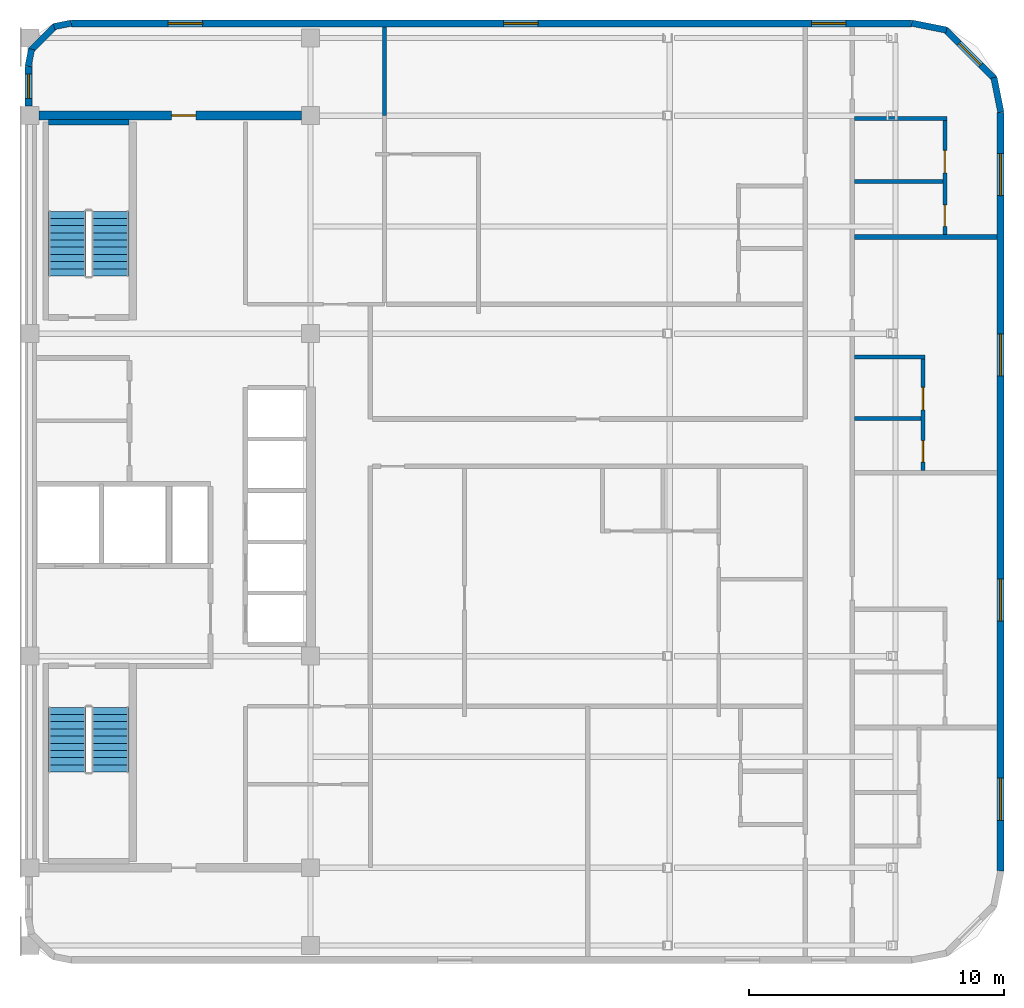
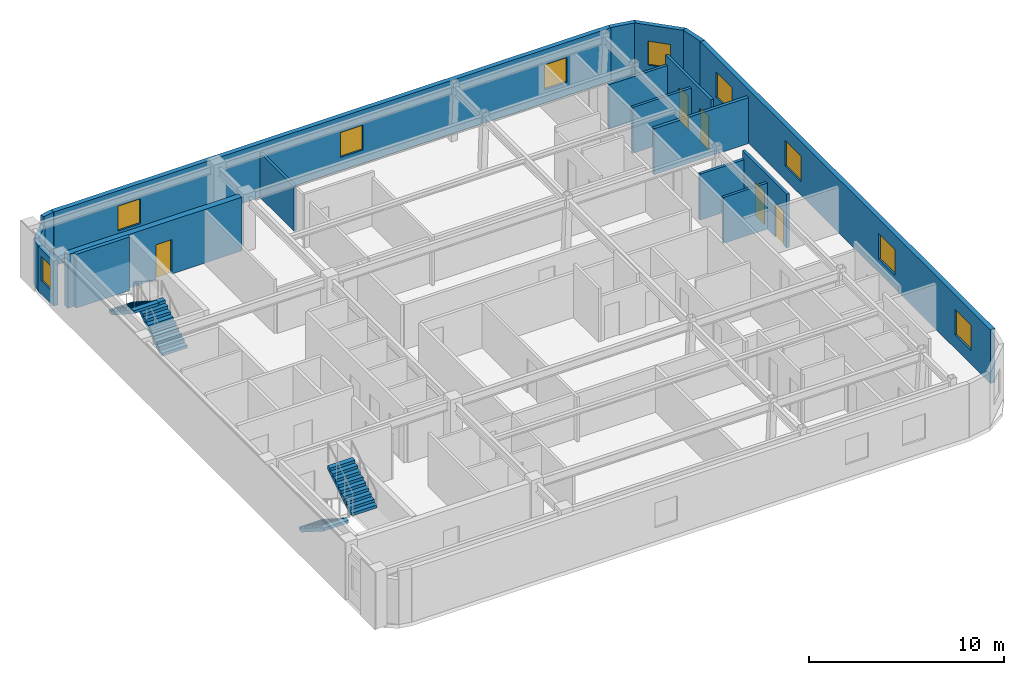
# One storey, part 5 of 6: 19 walls, 9 windows, 5 doors, 4 stair flights, 14 openings, 2 elements without a shape of their own.
"""IFC4 building model written with IfcOpenShell, lengths in metres."""

from ifc_helpers import new_model, si_unit, direction, frame, frame_2d, origin, place, context, subcontext, project, spatial, polyline, rectangle, outline, extrude, material, layer, layer_set, type_object, element, fill, aggregate, save


model = new_model("IFC4")

# Units and contexts
model_context = context("Model", 3, precision=1e-05, world=origin(), true_north=direction((0.0, 1.0)))
body_context = subcontext(model_context, "Body", "Model", "MODEL_VIEW")
ifc_project = project(units=[si_unit("LENGTHUNIT", "METRE"), si_unit("AREAUNIT", "SQUARE_METRE"), si_unit("VOLUMEUNIT", "CUBIC_METRE"), si_unit("PLANEANGLEUNIT", "RADIAN"), si_unit("MASSUNIT", "GRAM", prefix="KILO")], contexts=[model_context])

# Site, building, storey
site_placement = place(None, origin())
site = spatial("IfcSite", under=ifc_project, at=site_placement, CompositionType="ELEMENT")
building_placement = place(site_placement, origin())
building = spatial("IfcBuilding", under=site, at=building_placement, Name="Ochreholt Gables", CompositionType="ELEMENT")
storey_placement = place(building_placement, frame((0.0, 0.0, 264.0)))
storey = spatial("IfcBuildingStorey", under=building, at=storey_placement, Name="L69", CompositionType="ELEMENT", Elevation=264.0)

# Wall, opening, door
ifc_material_1 = material(Name="Concrete 50 MPa", Category="concrete")
ifc_layer_1 = layer(ifc_material_1, 0.35009765625, Name="Concrete 50 MPa")
ifc_layer_set_1 = layer_set([ifc_layer_1], Name="Concrete 50 MPa")
wall_type_1 = type_object("IfcWallType", Name="WALL-CSW-350", PredefinedType="SHEAR", material=ifc_layer_set_1)
wall_1_placement = place(storey_placement, frame((24.550048828125, 38.75, 0.0), z_axis=(0.0, 0.0, 1.0), x_axis=(1.0, 0.0, 0.0)))
wall_1 = element("IfcWall", 1, at=wall_1_placement, inside=storey, type_object=wall_type_1, Name="L69 Core North Shear Wall", PredefinedType="SHEAR", context=body_context, shape_type="SweptSolid", body=[
    extrude(rectangle(XDim=10.300048828125, YDim=0.35009765625, at=frame_2d((5.14990234375, 0.0))), origin(), (0.0, 0.0, 1.0), 3.360107421875),
])
opening_1_placement = place(wall_1_placement, frame((5.199951171875, 0.0, 0.0)))
opening_1 = element("IfcOpeningElement", 2, at=opening_1_placement, cuts=wall_1, Name="Opening D-FL2", PredefinedType="OPENING", context=body_context, shape_type="SweptSolid", body=[
    extrude(rectangle(XDim=0.949951171875, YDim=2.14990234375, at=frame_2d((0.47509765625, 1.074951171875))), frame((0.0, 0.18505859375, 0.0), z_axis=(0.0, -1.0, 0.0), x_axis=(1.0, 0.0, 0.0)), (0.0, 0.0, 1.0), 0.3701171875),
])
ifc_material_2 = material(Name="Hollow Metal Steel", Category="steel")
door_type_1 = type_object("IfcDoorType", Name="DR-INT-FLB950", OperationType="NOTDEFINED", PredefinedType="DOOR", material=ifc_material_2)
door_1_placement = place(opening_1_placement, origin())
door_1 = element("IfcDoor", 3, at=door_1_placement, inside=storey, type_object=door_type_1, Name="L69 Door D-C3NSR-L69", OperationType="SINGLE_SWING_RIGHT", OverallHeight=2.14990234375, OverallWidth=0.949951171875, PredefinedType="DOOR", context=body_context, shape_type="SweptSolid", body=[
    extrude(rectangle(XDim=0.949951171875, YDim=2.14990234375, at=frame_2d((0.47509765625, 1.074951171875))), frame((0.0, 0.02490234375, 0.0), z_axis=(0.0, -1.0, 0.0), x_axis=(1.0, 0.0, 0.0)), (0.0, 0.0, 1.0), 0.050048828125),
])
fill(opening_1, door_1)

# Wall, openings, windows
ifc_material_3 = material(Name="Precast concrete 40 MPa", Category="concrete")
ifc_layer_2 = layer(ifc_material_3, 0.27001953125, Name="Precast concrete 40 MPa")
ifc_layer_set_2 = layer_set([ifc_layer_2], Name="Precast concrete 40 MPa")
wall_type_2 = type_object("IfcWallType", Name="WALL-EXT-270", PredefinedType="SOLIDWALL", material=ifc_layer_set_2)
wall_2_placement = place(storey_placement, frame((62.264892578125, 9.1201171875, 0.0), z_axis=(0.0, 0.0, 1.0), x_axis=(0.0, 1.0, 0.0)))
wall_2 = element("IfcWall", 4, at=wall_2_placement, inside=storey, type_object=wall_type_2, Name="L69 East Exterior Wall", PredefinedType="SOLIDWALL", context=body_context, shape_type="SweptSolid", body=[
    extrude(rectangle(XDim=29.759765625, YDim=0.27001953125, at=frame_2d((14.8798828125, 0.0))), origin(), (0.0, 0.0, 1.0), 3.360107421875),
])
opening_2_placement = place(wall_2_placement, frame((1.989990234375, 0.0, 0.85009765625)))
opening_2 = element("IfcOpeningElement", 5, at=opening_2_placement, cuts=wall_2, Name="Opening WN-7", PredefinedType="OPENING", context=body_context, shape_type="SweptSolid", body=[
    extrude(rectangle(XDim=1.64990234375, YDim=1.60009765625, at=frame_2d((0.824951171875, 0.800048828125))), frame((0.0, 0.14501953125, 0.0), z_axis=(0.0, -1.0, 0.0), x_axis=(1.0, 0.0, 0.0)), (0.0, 0.0, 1.0), 0.2900390625),
])
opening_3_placement = place(wall_2_placement, frame((9.800048828125, 0.0, 0.85009765625)))
opening_3 = element("IfcOpeningElement", 6, at=opening_3_placement, cuts=wall_2, Name="Opening WN-7", PredefinedType="OPENING", context=body_context, shape_type="SweptSolid", body=[
    extrude(rectangle(XDim=1.64990234375, YDim=1.60009765625, at=frame_2d((0.824951171875, 0.800048828125))), frame((0.0, 0.14501953125, 0.0), z_axis=(0.0, -1.0, 0.0), x_axis=(1.0, 0.0, 0.0)), (0.0, 0.0, 1.0), 0.2900390625),
])
opening_4_placement = place(wall_2_placement, frame((19.419921875, 0.0, 0.85009765625)))
opening_4 = element("IfcOpeningElement", 7, at=opening_4_placement, cuts=wall_2, Name="Opening WN-7", PredefinedType="OPENING", context=body_context, shape_type="SweptSolid", body=[
    extrude(rectangle(XDim=1.64990234375, YDim=1.60009765625, at=frame_2d((0.824951171875, 0.800048828125))), frame((0.0, 0.14501953125, 0.0), z_axis=(0.0, -1.0, 0.0), x_axis=(1.0, 0.0, 0.0)), (0.0, 0.0, 1.0), 0.2900390625),
])
opening_5_placement = place(wall_2_placement, frame((26.489990234375, 0.0, 0.85009765625)))
opening_5 = element("IfcOpeningElement", 8, at=opening_5_placement, cuts=wall_2, Name="Opening WN-7", PredefinedType="OPENING", context=body_context, shape_type="SweptSolid", body=[
    extrude(rectangle(XDim=1.64990234375, YDim=1.60009765625, at=frame_2d((0.824951171875, 0.800048828125))), frame((0.0, 0.14501953125, 0.0), z_axis=(0.0, -1.0, 0.0), x_axis=(1.0, 0.0, 0.0)), (0.0, 0.0, 1.0), 0.2900390625),
])
ifc_material_4 = material(Name="Triple-Glazed Thermally Broken Aluminium Window", Category="aluminium")
window_type_1 = type_object("IfcWindowType", Name="WIN-RES-1650", PartitioningType="SINGLE_PANEL", PredefinedType="WINDOW", material=ifc_material_4)
window_1_placement = place(opening_2_placement, origin())
window_1 = element("IfcWindow", 9, at=window_1_placement, inside=storey, type_object=window_type_1, Name="L69 Window W-EXT-E-L69-1", OverallHeight=1.60009765625, OverallWidth=1.64990234375, PartitioningType="SINGLE_PANEL", PredefinedType="WINDOW", context=body_context, shape_type="SweptSolid", body=[
    extrude(rectangle(XDim=1.64990234375, YDim=1.60009765625, at=frame_2d((0.824951171875, 0.800048828125))), frame((0.0, 0.030029296875, 0.0), z_axis=(0.0, -1.0, 0.0), x_axis=(1.0, 0.0, 0.0)), (0.0, 0.0, 1.0), 0.06005859375),
])
fill(opening_2, window_1)
window_2_placement = place(opening_3_placement, origin())
window_2 = element("IfcWindow", 10, at=window_2_placement, inside=storey, type_object=window_type_1, Name="L69 Window W-EXT-E-L69-2", OverallHeight=1.60009765625, OverallWidth=1.64990234375, PartitioningType="SINGLE_PANEL", PredefinedType="WINDOW", context=body_context, shape_type="SweptSolid", body=[
    extrude(rectangle(XDim=1.64990234375, YDim=1.60009765625, at=frame_2d((0.824951171875, 0.800048828125))), frame((0.0, 0.030029296875, 0.0), z_axis=(0.0, -1.0, 0.0), x_axis=(1.0, 0.0, 0.0)), (0.0, 0.0, 1.0), 0.06005859375),
])
fill(opening_3, window_2)
window_3_placement = place(opening_4_placement, origin())
window_3 = element("IfcWindow", 11, at=window_3_placement, inside=storey, type_object=window_type_1, Name="L69 Window W-EXT-E-L69-3", OverallHeight=1.60009765625, OverallWidth=1.64990234375, PartitioningType="SINGLE_PANEL", PredefinedType="WINDOW", context=body_context, shape_type="SweptSolid", body=[
    extrude(rectangle(XDim=1.64990234375, YDim=1.60009765625, at=frame_2d((0.824951171875, 0.800048828125))), frame((0.0, 0.030029296875, 0.0), z_axis=(0.0, -1.0, 0.0), x_axis=(1.0, 0.0, 0.0)), (0.0, 0.0, 1.0), 0.06005859375),
])
fill(opening_4, window_3)
window_4_placement = place(opening_5_placement, origin())
window_4 = element("IfcWindow", 12, at=window_4_placement, inside=storey, type_object=window_type_1, Name="L69 Window W-EXT-E-L69-4", OverallHeight=1.60009765625, OverallWidth=1.64990234375, PartitioningType="SINGLE_PANEL", PredefinedType="WINDOW", context=body_context, shape_type="SweptSolid", body=[
    extrude(rectangle(XDim=1.64990234375, YDim=1.60009765625, at=frame_2d((0.824951171875, 0.800048828125))), frame((0.0, 0.030029296875, 0.0), z_axis=(0.0, -1.0, 0.0), x_axis=(1.0, 0.0, 0.0)), (0.0, 0.0, 1.0), 0.06005859375),
])
fill(opening_5, window_4)

wall_3_placement = place(storey_placement, frame((58.780029296875, 42.364990234375, 0.0), z_axis=(0.0, 0.0, 1.0), x_axis=(-1.0, 0.0, 0.0)))
wall_3 = element("IfcWall", 13, at=wall_3_placement, inside=storey, type_object=wall_type_2, Name="L69 North Exterior Wall", PredefinedType="SOLIDWALL", context=body_context, shape_type="SweptSolid", body=[
    extrude(rectangle(XDim=32.9599609375, YDim=0.27001953125, at=frame_2d((16.47998046875, 0.0))), origin(), (0.0, 0.0, 1.0), 3.360107421875),
])
opening_6_placement = place(wall_3_placement, frame((27.81494140625, 0.0, 0.85009765625)))
opening_6 = element("IfcOpeningElement", 14, at=opening_6_placement, cuts=wall_3, Name="Opening WN-8", PredefinedType="OPENING", context=body_context, shape_type="SweptSolid", body=[
    extrude(rectangle(XDim=1.35009765625, YDim=1.550048828125, at=frame_2d((0.675048828125, 0.77490234375))), frame((0.0, 0.14501953125, 0.0), z_axis=(0.0, -1.0, 0.0), x_axis=(1.0, 0.0, 0.0)), (0.0, 0.0, 1.0), 0.2900390625),
])
opening_7_placement = place(wall_3_placement, frame((14.655517578125, 0.0, 0.85009765625)))
opening_7 = element("IfcOpeningElement", 15, at=opening_7_placement, cuts=wall_3, Name="Opening WN-8", PredefinedType="OPENING", context=body_context, shape_type="SweptSolid", body=[
    extrude(rectangle(XDim=1.35009765625, YDim=1.550048828125, at=frame_2d((0.675048828125, 0.77490234375))), frame((0.0, 0.14501953125, 0.0), z_axis=(0.0, -1.0, 0.0), x_axis=(1.0, 0.0, 0.0)), (0.0, 0.0, 1.0), 0.2900390625),
])
opening_8_placement = place(wall_3_placement, frame((2.580078125, 0.0, 0.85009765625)))
opening_8 = element("IfcOpeningElement", 16, at=opening_8_placement, cuts=wall_3, Name="Opening WN-8", PredefinedType="OPENING", context=body_context, shape_type="SweptSolid", body=[
    extrude(rectangle(XDim=1.35009765625, YDim=1.550048828125, at=frame_2d((0.675048828125, 0.77490234375))), frame((0.0, 0.14501953125, 0.0), z_axis=(0.0, -1.0, 0.0), x_axis=(1.0, 0.0, 0.0)), (0.0, 0.0, 1.0), 0.2900390625),
])
window_type_2 = type_object("IfcWindowType", Name="WIN-RES-1350", PartitioningType="SINGLE_PANEL", PredefinedType="WINDOW", material=ifc_material_4)
window_5_placement = place(opening_6_placement, origin())
window_5 = element("IfcWindow", 17, at=window_5_placement, inside=storey, type_object=window_type_2, Name="L69 Window W-EXT-N-L69-1", OverallHeight=1.550048828125, OverallWidth=1.35009765625, PartitioningType="SINGLE_PANEL", PredefinedType="WINDOW", context=body_context, shape_type="SweptSolid", body=[
    extrude(rectangle(XDim=1.35009765625, YDim=1.550048828125, at=frame_2d((0.675048828125, 0.77490234375))), frame((0.0, 0.030029296875, 0.0), z_axis=(0.0, -1.0, 0.0), x_axis=(1.0, 0.0, 0.0)), (0.0, 0.0, 1.0), 0.06005859375),
])
fill(opening_6, window_5)
window_6_placement = place(opening_7_placement, origin())
window_6 = element("IfcWindow", 18, at=window_6_placement, inside=storey, type_object=window_type_2, Name="L69 Window W-EXT-N-L69-2", OverallHeight=1.550048828125, OverallWidth=1.35009765625, PartitioningType="SINGLE_PANEL", PredefinedType="WINDOW", context=body_context, shape_type="SweptSolid", body=[
    extrude(rectangle(XDim=1.35009765625, YDim=1.550048828125, at=frame_2d((0.675048828125, 0.77490234375))), frame((0.0, 0.030029296875, 0.0), z_axis=(0.0, -1.0, 0.0), x_axis=(1.0, 0.0, 0.0)), (0.0, 0.0, 1.0), 0.06005859375),
])
fill(opening_7, window_6)
window_7_placement = place(opening_8_placement, origin())
window_7 = element("IfcWindow", 19, at=window_7_placement, inside=storey, type_object=window_type_2, Name="L69 Window W-EXT-N-L69-3", OverallHeight=1.550048828125, OverallWidth=1.35009765625, PartitioningType="SINGLE_PANEL", PredefinedType="WINDOW", context=body_context, shape_type="SweptSolid", body=[
    extrude(rectangle(XDim=1.35009765625, YDim=1.550048828125, at=frame_2d((0.675048828125, 0.77490234375))), frame((0.0, 0.030029296875, 0.0), z_axis=(0.0, -1.0, 0.0), x_axis=(1.0, 0.0, 0.0)), (0.0, 0.0, 1.0), 0.06005859375),
])
fill(opening_8, window_7)

# Wall, opening, window
wall_4_placement = place(storey_placement, frame((24.135009765625, 39.1201171875, 0.0), z_axis=(0.0, 0.0, 1.0), x_axis=(0.0, 1.0, 0.0)))
wall_4 = element("IfcWall", 20, at=wall_4_placement, inside=storey, type_object=wall_type_2, Name="L69 West Facade North Bay Wall", PredefinedType="SOLIDWALL", context=body_context, shape_type="SweptSolid", body=[
    extrude(rectangle(XDim=1.559814453125, YDim=0.27001953125, at=frame_2d((0.77978515625, 0.0))), origin(), (0.0, 0.0, 1.0), 2.802978515625),
])
opening_9_placement = place(wall_4_placement, frame((0.304931640625, 0.0, 0.85009765625)))
opening_9 = element("IfcOpeningElement", 21, at=opening_9_placement, cuts=wall_4, Name="Opening WN-10", PredefinedType="OPENING", context=body_context, shape_type="SweptSolid", body=[
    extrude(rectangle(XDim=0.949951171875, YDim=1.5, at=frame_2d((0.47509765625, 0.75))), frame((0.0, 0.14501953125, 0.0), z_axis=(0.0, -1.0, 0.0), x_axis=(1.0, 0.0, 0.0)), (0.0, 0.0, 1.0), 0.2900390625),
])
window_type_3 = type_object("IfcWindowType", Name="WIN-RES-950", PartitioningType="SINGLE_PANEL", PredefinedType="WINDOW", material=ifc_material_4)
window_8_placement = place(opening_9_placement, origin())
window_8 = element("IfcWindow", 22, at=window_8_placement, inside=storey, type_object=window_type_3, Name="L69 North Sky Reading West Window", OverallHeight=1.5, OverallWidth=0.949951171875, PartitioningType="SINGLE_PANEL", PredefinedType="WINDOW", context=body_context, shape_type="SweptSolid", body=[
    extrude(rectangle(XDim=0.949951171875, YDim=1.5, at=frame_2d((0.47509765625, 0.75))), frame((0.0, 0.030029296875, 0.0), z_axis=(0.0, -1.0, 0.0), x_axis=(1.0, 0.0, 0.0)), (0.0, 0.0, 1.0), 0.06005859375),
])
fill(opening_9, window_8)

# Wall
ifc_layer_3 = layer(ifc_material_3, 0.25, Name="Precast concrete 40 MPa")
ifc_layer_set_3 = layer_set([ifc_layer_3], Name="Precast concrete 40 MPa")
wall_type_3 = type_object("IfcWallType", Name="WALL-EXT-CNR", PredefinedType="SOLIDWALL", material=ifc_layer_set_3)
wall_5_placement = place(storey_placement, frame((62.27587890625, 38.883544921875, 0.0), z_axis=(0.0, 0.0, 1.0), x_axis=(-0.195135625965, 0.9807762678, 0.0)))
element("IfcWall", 23, at=wall_5_placement, inside=storey, type_object=wall_type_3, Name="L69 Rounded Corner Wall NE-1", PredefinedType="SOLIDWALL", context=body_context, shape_type="SweptSolid", body=[
    extrude(rectangle(XDim=1.388671875, YDim=0.25, at=frame_2d((0.6943359375, 0.0))), origin(), (0.0, 0.0, 1.0), 3.360107421875),
])

# Wall, opening, window
wall_6_placement = place(storey_placement, frame((62.031982421875, 40.195068359375, 0.0), z_axis=(0.0, 0.0, 1.0), x_axis=(-0.707106781187, 0.707106781187, 0.0)))
wall_6 = element("IfcWall", 24, at=wall_6_placement, inside=storey, type_object=wall_type_3, Name="L69 Rounded Corner Wall NE-2", PredefinedType="SOLIDWALL", context=body_context, shape_type="SweptSolid", body=[
    extrude(rectangle(XDim=2.7392578125, YDim=0.25, at=frame_2d((1.36962890625, 0.0))), origin(), (0.0, 0.0, 1.0), 3.360107421875),
])
opening_10_placement = place(wall_6_placement, frame((0.769775390625, 0.0, 0.85009765625)))
opening_10 = element("IfcOpeningElement", 25, at=opening_10_placement, cuts=wall_6, Name="Opening WN-3", PredefinedType="OPENING", context=body_context, shape_type="SweptSolid", body=[
    extrude(rectangle(XDim=1.199951171875, YDim=1.5, at=frame_2d((0.60009765625, 0.75))), frame((0.0, 0.135009765625, 0.0), z_axis=(0.0, -1.0, 0.0), x_axis=(1.0, 0.0, 0.0)), (0.0, 0.0, 1.0), 0.27001953125),
])
window_type_4 = type_object("IfcWindowType", Name="WIN-RES-1200", PartitioningType="SINGLE_PANEL", PredefinedType="WINDOW", material=ifc_material_4)
window_9_placement = place(opening_10_placement, origin())
window_9 = element("IfcWindow", 26, at=window_9_placement, inside=storey, type_object=window_type_4, Name="L69 Corner Bedroom Window NE", OverallHeight=1.5, OverallWidth=1.199951171875, PartitioningType="SINGLE_PANEL", PredefinedType="WINDOW", context=body_context, shape_type="SweptSolid", body=[
    extrude(rectangle(XDim=1.199951171875, YDim=1.5, at=frame_2d((0.60009765625, 0.75))), frame((0.0, 0.030029296875, 0.0), z_axis=(0.0, -1.0, 0.0), x_axis=(1.0, 0.0, 0.0)), (0.0, 0.0, 1.0), 0.06005859375),
])
fill(opening_10, window_9)

# Walls
wall_7_placement = place(storey_placement, frame((60.1455078125, 42.10498046875, 0.0), z_axis=(0.0, 0.0, 1.0), x_axis=(-0.980809899341, 0.19496651342, 0.0)))
element("IfcWall", 27, at=wall_7_placement, inside=storey, type_object=wall_type_3, Name="L69 Rounded Corner Wall NE-3", PredefinedType="SOLIDWALL", context=body_context, shape_type="SweptSolid", body=[
    extrude(rectangle(XDim=1.388671875, YDim=0.25, at=frame_2d((0.6943359375, 0.0))), origin(), (0.0, 0.0, 1.0), 3.360107421875),
])
wall_8_placement = place(storey_placement, frame((25.81640625, 42.375732421875, 0.0), z_axis=(0.0, 0.0, 1.0), x_axis=(-0.980812594069, -0.194952956674, 0.0)))
element("IfcWall", 28, at=wall_8_placement, inside=storey, type_object=wall_type_3, Name="L69 Rounded Corner Wall NW-1", PredefinedType="SOLIDWALL", context=body_context, shape_type="SweptSolid", body=[
    extrude(rectangle(XDim=0.686279296875, YDim=0.25, at=frame_2d((0.34326171875, 0.0))), origin(), (0.0, 0.0, 1.0), 3.360107421875),
])
wall_9_placement = place(storey_placement, frame((25.19384765625, 42.26904296875, 0.0), z_axis=(0.0, 0.0, 1.0), x_axis=(-0.707106781187, -0.707106781187, 0.0)))
element("IfcWall", 29, at=wall_9_placement, inside=storey, type_object=wall_type_3, Name="L69 Rounded Corner Wall NW-2", PredefinedType="SOLIDWALL", context=body_context, shape_type="SweptSolid", body=[
    extrude(rectangle(XDim=1.36181640625, YDim=0.25, at=frame_2d((0.680908203125, 0.0))), origin(), (0.0, 0.0, 1.0), 2.802978515625),
])
wall_10_placement = place(storey_placement, frame((24.258056640625, 41.356689453125, 0.0), z_axis=(0.0, 0.0, 1.0), x_axis=(-0.194952956674, -0.980812594069, 0.0)))
element("IfcWall", 30, at=wall_10_placement, inside=storey, type_object=wall_type_3, Name="L69 Rounded Corner Wall NW-3", PredefinedType="SOLIDWALL", context=body_context, shape_type="SweptSolid", body=[
    extrude(rectangle(XDim=0.686279296875, YDim=0.25, at=frame_2d((0.34326171875, 0.0))), origin(), (0.0, 0.0, 1.0), 2.802978515625),
])
ifc_material_5 = material(Name="Double-Stud Acoustic Demising Wall", Category="gypsum")
ifc_layer_4 = layer(ifc_material_5, 0.18505859375, Name="Double-Stud Acoustic Demising Wall")
ifc_layer_set_4 = layer_set([ifc_layer_4], Name="Double-Stud Acoustic Demising Wall")
wall_type_4 = type_object("IfcWallType", Name="WALL-INT-DM185", PredefinedType="PARTITIONING", material=ifc_layer_set_4)
wall_11_placement = place(storey_placement, frame((56.5400390625, 33.989990234375, 0.0), z_axis=(0.0, 0.0, 1.0), x_axis=(1.0, 0.0, 0.0)))
element("IfcWall", 31, at=wall_11_placement, inside=storey, type_object=wall_type_4, Name="L69 Interior Wall WI-C3UDE4-L69", PredefinedType="PARTITIONING", context=body_context, shape_type="SweptSolid", body=[
    extrude(rectangle(XDim=5.58984375, YDim=0.18505859375, at=frame_2d((2.794921875, 0.0))), origin(), (0.0, 0.0, 1.0), 2.87890625),
])
ifc_material_6 = material(Name="Moisture-Resistant Plumbing Chase Wall", Category="gypsum")
ifc_layer_5 = layer(ifc_material_6, 0.159912109375, Name="Moisture-Resistant Plumbing Chase Wall")
ifc_layer_set_5 = layer_set([ifc_layer_5], Name="Moisture-Resistant Plumbing Chase Wall")
wall_type_5 = type_object("IfcWallType", Name="WALL-INT-PL160", PredefinedType="PLUMBINGWALL", material=ifc_layer_set_5)
wall_12_placement = place(storey_placement, frame((56.5400390625, 29.280029296875, 0.0), z_axis=(0.0, 0.0, 1.0), x_axis=(1.0, 0.0, 0.0)))
element("IfcWall", 32, at=wall_12_placement, inside=storey, type_object=wall_type_5, Name="L69 Interior Wall WU-L69E3-WYN", PredefinedType="PLUMBINGWALL", context=body_context, shape_type="SweptSolid", body=[
    extrude(rectangle(XDim=2.758056640625, YDim=0.159912109375, at=frame_2d((1.37890625, 0.0))), origin(), (0.0, 0.0, 1.0), 2.87890625),
])

# Wall, openings, doors
wall_13_placement = place(storey_placement, frame((59.218017578125, 24.83251953125, 0.0), z_axis=(0.0, 0.0, 1.0), x_axis=(0.0, 1.0, 0.0)))
wall_13 = element("IfcWall", 33, at=wall_13_placement, inside=storey, type_object=wall_type_5, Name="L69 Interior Wall WU-L69E3-WX", PredefinedType="PLUMBINGWALL", context=body_context, shape_type="SweptSolid", body=[
    extrude(rectangle(XDim=4.53759765625, YDim=0.159912109375, at=frame_2d((2.268798828125, 0.0))), origin(), (0.0, 0.0, 1.0), 3.360107421875),
])
opening_11_placement = place(wall_13_placement, frame((0.327392578125, 0.0, 0.0)))
opening_11 = element("IfcOpeningElement", 34, at=opening_11_placement, cuts=wall_13, Name="Opening D-BT2", PredefinedType="OPENING", context=body_context, shape_type="SweptSolid", body=[
    extrude(rectangle(XDim=0.840087890625, YDim=2.1201171875, at=frame_2d((0.419921875, 1.06005859375))), frame((0.0, 0.08984375, 0.0), z_axis=(0.0, -1.0, 0.0), x_axis=(1.0, 0.0, 0.0)), (0.0, 0.0, 1.0), 0.179931640625),
])
opening_12_placement = place(wall_13_placement, frame((2.37451171875, 0.0, 0.0)))
opening_12 = element("IfcOpeningElement", 35, at=opening_12_placement, cuts=wall_13, Name="Opening D-GN2", PredefinedType="OPENING", context=body_context, shape_type="SweptSolid", body=[
    extrude(rectangle(XDim=0.8798828125, YDim=2.1201171875, at=frame_2d((0.43994140625, 1.06005859375))), frame((0.0, 0.08984375, 0.0), z_axis=(0.0, -1.0, 0.0), x_axis=(1.0, 0.0, 0.0)), (0.0, 0.0, 1.0), 0.179931640625),
])
ifc_material_7 = material(Name="Engineered Oak Timber", Category="wood")
door_type_2 = type_object("IfcDoorType", Name="DR-INT-BTH840", OperationType="NOTDEFINED", PredefinedType="DOOR", material=ifc_material_7)
door_2_placement = place(opening_11_placement, origin())
door_2 = element("IfcDoor", 36, at=door_2_placement, inside=storey, type_object=door_type_2, Name="L69 Door D-U-L69E3-BTH", OperationType="SINGLE_SWING_LEFT", OverallHeight=2.1201171875, OverallWidth=0.840087890625, PredefinedType="DOOR", context=body_context, shape_type="SweptSolid", body=[
    extrude(rectangle(XDim=0.840087890625, YDim=2.1201171875, at=frame_2d((0.419921875, 1.06005859375))), frame((0.0, 0.02490234375, 0.0), z_axis=(0.0, -1.0, 0.0), x_axis=(1.0, 0.0, 0.0)), (0.0, 0.0, 1.0), 0.050048828125),
])
fill(opening_11, door_2)
door_type_3 = type_object("IfcDoorType", Name="DR-INT-GEN880", OperationType="NOTDEFINED", PredefinedType="DOOR", material=ifc_material_7)
door_3_placement = place(opening_12_placement, origin())
door_3 = element("IfcDoor", 37, at=door_3_placement, inside=storey, type_object=door_type_3, Name="L69 Door D-U-L69E3-KIT", OperationType="SINGLE_SWING_RIGHT", OverallHeight=2.1201171875, OverallWidth=0.8798828125, PredefinedType="DOOR", context=body_context, shape_type="SweptSolid", body=[
    extrude(rectangle(XDim=0.8798828125, YDim=2.1201171875, at=frame_2d((0.43994140625, 1.06005859375))), frame((0.0, 0.02490234375, 0.0), z_axis=(0.0, -1.0, 0.0), x_axis=(1.0, 0.0, 0.0)), (0.0, 0.0, 1.0), 0.050048828125),
])
fill(opening_12, door_3)

# Walls
wall_14_placement = place(storey_placement, frame((56.5400390625, 26.876953125, 0.0), z_axis=(0.0, 0.0, 1.0), x_axis=(1.0, 0.0, 0.0)))
element("IfcWall", 38, at=wall_14_placement, inside=storey, type_object=wall_type_5, Name="L69 Interior Wall WU-L69E3-WM", PredefinedType="PLUMBINGWALL", context=body_context, shape_type="SweptSolid", body=[
    extrude(rectangle(XDim=2.597900390625, YDim=0.159912109375, at=frame_2d((1.298828125, 0.0))), origin(), (0.0, 0.0, 1.0), 2.87890625),
])
wall_15_placement = place(storey_placement, frame((56.5400390625, 38.6298828125, 0.0), z_axis=(0.0, 0.0, 1.0), x_axis=(1.0, 0.0, 0.0)))
element("IfcWall", 39, at=wall_15_placement, inside=storey, type_object=wall_type_5, Name="L69 Interior Wall WU-L69E4-WYN", PredefinedType="PLUMBINGWALL", context=body_context, shape_type="SweptSolid", body=[
    extrude(rectangle(XDim=3.6201171875, YDim=0.159912109375, at=frame_2d((1.81005859375, 0.0))), origin(), (0.0, 0.0, 1.0), 2.802978515625),
])

# Wall, openings, doors
wall_16_placement = place(storey_placement, frame((60.080078125, 34.08251953125, 0.0), z_axis=(0.0, 0.0, 1.0), x_axis=(0.0, 1.0, 0.0)))
wall_16 = element("IfcWall", 40, at=wall_16_placement, inside=storey, type_object=wall_type_5, Name="L69 Interior Wall WU-L69E4-WX", PredefinedType="PLUMBINGWALL", context=body_context, shape_type="SweptSolid", body=[
    extrude(rectangle(XDim=4.637451171875, YDim=0.159912109375, at=frame_2d((2.31884765625, 0.0))), origin(), (0.0, 0.0, 1.0), 3.360107421875),
])
opening_13_placement = place(wall_16_placement, frame((0.327392578125, 0.0, 0.0)))
opening_13 = element("IfcOpeningElement", 41, at=opening_13_placement, cuts=wall_16, Name="Opening D-BT2", PredefinedType="OPENING", context=body_context, shape_type="SweptSolid", body=[
    extrude(rectangle(XDim=0.840087890625, YDim=2.1201171875, at=frame_2d((0.419921875, 1.06005859375))), frame((0.0, 0.08984375, 0.0), z_axis=(0.0, -1.0, 0.0), x_axis=(1.0, 0.0, 0.0)), (0.0, 0.0, 1.0), 0.179931640625),
])
opening_14_placement = place(wall_16_placement, frame((2.42041015625, 0.0, 0.0)))
opening_14 = element("IfcOpeningElement", 42, at=opening_14_placement, cuts=wall_16, Name="Opening D-GN2", PredefinedType="OPENING", context=body_context, shape_type="SweptSolid", body=[
    extrude(rectangle(XDim=0.8798828125, YDim=2.1201171875, at=frame_2d((0.43994140625, 1.06005859375))), frame((0.0, 0.08984375, 0.0), z_axis=(0.0, -1.0, 0.0), x_axis=(1.0, 0.0, 0.0)), (0.0, 0.0, 1.0), 0.179931640625),
])
door_4_placement = place(opening_13_placement, origin())
door_4 = element("IfcDoor", 43, at=door_4_placement, inside=storey, type_object=door_type_2, Name="L69 Door D-U-L69E4-BTH", OperationType="SINGLE_SWING_RIGHT", OverallHeight=2.1201171875, OverallWidth=0.840087890625, PredefinedType="DOOR", context=body_context, shape_type="SweptSolid", body=[
    extrude(rectangle(XDim=0.840087890625, YDim=2.1201171875, at=frame_2d((0.419921875, 1.06005859375))), frame((0.0, 0.02490234375, 0.0), z_axis=(0.0, -1.0, 0.0), x_axis=(1.0, 0.0, 0.0)), (0.0, 0.0, 1.0), 0.050048828125),
])
fill(opening_13, door_4)
door_5_placement = place(opening_14_placement, origin())
door_5 = element("IfcDoor", 44, at=door_5_placement, inside=storey, type_object=door_type_3, Name="L69 Door D-U-L69E4-KIT", OperationType="SINGLE_SWING_LEFT", OverallHeight=2.1201171875, OverallWidth=0.8798828125, PredefinedType="DOOR", context=body_context, shape_type="SweptSolid", body=[
    extrude(rectangle(XDim=0.8798828125, YDim=2.1201171875, at=frame_2d((0.43994140625, 1.06005859375))), frame((0.0, 0.02490234375, 0.0), z_axis=(0.0, -1.0, 0.0), x_axis=(1.0, 0.0, 0.0)), (0.0, 0.0, 1.0), 0.050048828125),
])
fill(opening_14, door_5)

# Walls
wall_17_placement = place(storey_placement, frame((56.5400390625, 36.173095703125, 0.0), z_axis=(0.0, 0.0, 1.0), x_axis=(1.0, 0.0, 0.0)))
element("IfcWall", 45, at=wall_17_placement, inside=storey, type_object=wall_type_5, Name="L69 Interior Wall WU-L69E4-WM", PredefinedType="PLUMBINGWALL", context=body_context, shape_type="SweptSolid", body=[
    extrude(rectangle(XDim=3.460205078125, YDim=0.159912109375, at=frame_2d((1.72998046875, 0.0))), origin(), (0.0, 0.0, 1.0), 2.87890625),
])
ifc_material_8 = material(Name="Lightweight Stud Partition", Category="gypsum")
ifc_layer_6 = layer(ifc_material_8, 0.14501953125, Name="Lightweight Stud Partition")
ifc_layer_set_6 = layer_set([ifc_layer_6], Name="Lightweight Stud Partition")
wall_type_6 = type_object("IfcWallType", Name="WALL-INT-PT145", PredefinedType="PARTITIONING", material=ifc_layer_set_6)
wall_18_placement = place(storey_placement, frame((38.10009765625, 38.75, 0.0), z_axis=(0.0, 0.0, 1.0), x_axis=(0.0, 1.0, 0.0)))
element("IfcWall", 46, at=wall_18_placement, inside=storey, type_object=wall_type_6, Name="L69 Interior Wall WI-C3NMW-L69", PredefinedType="PARTITIONING", context=body_context, shape_type="SweptSolid", body=[
    extrude(rectangle(XDim=3.47998046875, YDim=0.14501953125, at=frame_2d((1.739990234375, 0.0))), origin(), (0.0, 0.0, 1.0), 2.802978515625),
])
ifc_layer_7 = layer(ifc_material_1, 0.219970703125, Name="Concrete 50 MPa")
ifc_layer_set_7 = layer_set([ifc_layer_7], Name="Concrete 50 MPa")
wall_type_7 = type_object("IfcWallType", Name="WALL-STW-220", PredefinedType="SHEAR", material=ifc_layer_set_7)
wall_19_placement = place(storey_placement, frame((24.919921875, 38.489990234375, 0.0), z_axis=(0.0, 0.0, 1.0), x_axis=(1.0, 0.0, 0.0)))
element("IfcWall", 47, at=wall_19_placement, inside=storey, type_object=wall_type_7, Name="L69 Exit Stair 2 North Wall", PredefinedType="SHEAR", context=body_context, shape_type="SweptSolid", body=[
    extrude(rectangle(XDim=3.16015625, YDim=0.219970703125, at=frame_2d((1.580078125, 0.0))), origin(), (0.0, 0.0, 1.0), 3.360107421875),
])

# Stair, stair flights
ifc_material_9 = material(Name="Concrete 40 MPa", Category="concrete")
stair_type_1 = type_object("IfcStairType", Name="STAIR-CORE-ST-1", PredefinedType="HALF_TURN_STAIR", material=ifc_material_9)
stair_1_placement = place(storey_placement, origin())
stair_1 = element("IfcStair", 48, at=stair_1_placement, inside=storey, type_object=stair_type_1, Name="L69 Core Exit Stair 1", PredefinedType="HALF_TURN_STAIR")
stair_flight_type = type_object("IfcStairFlightType", Name="FLIGHT-ST-1480-1800", PredefinedType="STRAIGHT", material=ifc_material_9)
stair_flight_1_placement = place(storey_placement, frame((25.659912109375, 15.5400390625, 0.0), z_axis=(0.0, 0.0, 1.0), x_axis=(0.0, -1.0, 0.0)))
stair_flight_1 = element("IfcStairFlight", 49, at=stair_flight_1_placement, type_object=stair_flight_type, Name="ST-1 flight 1", NumberOfRisers=10, NumberOfTreads=9, PredefinedType="STRAIGHT", RiserHeight=0.18, TreadLength=0.282, context=body_context, shape_type="SweptSolid", body=[
    extrude(outline(polyline([(0.0, 0.0), (0.0, 0.179931640625), (0.281982421875, 0.179931640625), (0.281982421875, 0.360107421875), (0.56396484375, 0.360107421875), (0.56396484375, 0.5400390625), (0.845947265625, 0.5400390625), (0.845947265625, 0.719970703125), (1.1279296875, 0.719970703125), (1.1279296875, 0.89990234375), (1.409912109375, 0.89990234375), (1.409912109375, 1.080078125), (1.69189453125, 1.080078125), (1.69189453125, 1.260009765625), (1.97412109375, 1.260009765625), (1.97412109375, 1.43994140625), (2.256103515625, 1.43994140625), (2.256103515625, 1.6201171875), (2.5380859375, 1.6201171875), (2.5380859375, 1.800048828125), (2.5380859375, 1.442138671875), (0.278564453125, 0.0), (0.0, 0.0)])), frame((0.0, 0.739990234375, 0.0), z_axis=(0.0, -1.0, 0.0), x_axis=(1.0, 0.0, 0.0)), (0.0, 0.0, 1.0), 1.47998046875),
])
stair_flight_2_placement = place(storey_placement, frame((27.340087890625, 13.001953125, 1.800048828125), z_axis=(0.0, 0.0, 1.0), x_axis=(0.0, 1.0, 0.0)))
stair_flight_2 = element("IfcStairFlight", 50, at=stair_flight_2_placement, type_object=stair_flight_type, Name="ST-1 flight 2", NumberOfRisers=10, NumberOfTreads=9, PredefinedType="STRAIGHT", RiserHeight=0.18, TreadLength=0.282, context=body_context, shape_type="SweptSolid", body=[
    extrude(outline(polyline([(0.0, 0.0), (0.0, 0.179931640625), (0.281982421875, 0.179931640625), (0.281982421875, 0.360107421875), (0.56396484375, 0.360107421875), (0.56396484375, 0.5400390625), (0.845947265625, 0.5400390625), (0.845947265625, 0.719970703125), (1.1279296875, 0.719970703125), (1.1279296875, 0.89990234375), (1.409912109375, 0.89990234375), (1.409912109375, 1.080078125), (1.69189453125, 1.080078125), (1.69189453125, 1.260009765625), (1.97412109375, 1.260009765625), (1.97412109375, 1.43994140625), (2.256103515625, 1.43994140625), (2.256103515625, 1.6201171875), (2.5380859375, 1.6201171875), (2.5380859375, 1.800048828125), (2.5380859375, 1.442138671875), (0.278564453125, 0.0), (0.0, 0.0)])), frame((0.0, 0.739990234375, 0.0), z_axis=(0.0, -1.0, 0.0), x_axis=(1.0, 0.0, 0.0)), (0.0, 0.0, 1.0), 1.47998046875),
])
aggregate(stair_1, [stair_flight_1, stair_flight_2])

stair_type_2 = type_object("IfcStairType", Name="STAIR-CORE-ST-2", PredefinedType="HALF_TURN_STAIR", material=ifc_material_9)
stair_2_placement = place(storey_placement, origin())
stair_2 = element("IfcStair", 51, at=stair_2_placement, inside=storey, type_object=stair_type_2, Name="L69 Core Exit Stair 2", PredefinedType="HALF_TURN_STAIR")
stair_flight_3_placement = place(storey_placement, frame((27.340087890625, 32.4599609375, 0.0), z_axis=(0.0, 0.0, 1.0), x_axis=(0.0, 1.0, 0.0)))
stair_flight_3 = element("IfcStairFlight", 52, at=stair_flight_3_placement, type_object=stair_flight_type, Name="ST-2 flight 1", NumberOfRisers=10, NumberOfTreads=9, PredefinedType="STRAIGHT", RiserHeight=0.18, TreadLength=0.282, context=body_context, shape_type="SweptSolid", body=[
    extrude(outline(polyline([(0.0, 0.0), (0.0, 0.179931640625), (0.281982421875, 0.179931640625), (0.281982421875, 0.360107421875), (0.56396484375, 0.360107421875), (0.56396484375, 0.5400390625), (0.845947265625, 0.5400390625), (0.845947265625, 0.719970703125), (1.1279296875, 0.719970703125), (1.1279296875, 0.89990234375), (1.409912109375, 0.89990234375), (1.409912109375, 1.080078125), (1.69189453125, 1.080078125), (1.69189453125, 1.260009765625), (1.97412109375, 1.260009765625), (1.97412109375, 1.43994140625), (2.256103515625, 1.43994140625), (2.256103515625, 1.6201171875), (2.5380859375, 1.6201171875), (2.5380859375, 1.800048828125), (2.5380859375, 1.442138671875), (0.278564453125, 0.0), (0.0, 0.0)])), frame((0.0, 0.739990234375, 0.0), z_axis=(0.0, -1.0, 0.0), x_axis=(1.0, 0.0, 0.0)), (0.0, 0.0, 1.0), 1.47998046875),
])
stair_flight_4_placement = place(storey_placement, frame((25.659912109375, 34.998046875, 1.800048828125), z_axis=(0.0, 0.0, 1.0), x_axis=(0.0, -1.0, 0.0)))
stair_flight_4 = element("IfcStairFlight", 53, at=stair_flight_4_placement, type_object=stair_flight_type, Name="ST-2 flight 2", NumberOfRisers=10, NumberOfTreads=9, PredefinedType="STRAIGHT", RiserHeight=0.18, TreadLength=0.282, context=body_context, shape_type="SweptSolid", body=[
    extrude(outline(polyline([(0.0, 0.0), (0.0, 0.179931640625), (0.281982421875, 0.179931640625), (0.281982421875, 0.360107421875), (0.56396484375, 0.360107421875), (0.56396484375, 0.5400390625), (0.845947265625, 0.5400390625), (0.845947265625, 0.719970703125), (1.1279296875, 0.719970703125), (1.1279296875, 0.89990234375), (1.409912109375, 0.89990234375), (1.409912109375, 1.080078125), (1.69189453125, 1.080078125), (1.69189453125, 1.260009765625), (1.97412109375, 1.260009765625), (1.97412109375, 1.43994140625), (2.256103515625, 1.43994140625), (2.256103515625, 1.6201171875), (2.5380859375, 1.6201171875), (2.5380859375, 1.800048828125), (2.5380859375, 1.442138671875), (0.278564453125, 0.0), (0.0, 0.0)])), frame((0.0, 0.739990234375, 0.0), z_axis=(0.0, -1.0, 0.0), x_axis=(1.0, 0.0, 0.0)), (0.0, 0.0, 1.0), 1.47998046875),
])
aggregate(stair_2, [stair_flight_3, stair_flight_4])

save(model, "model.ifc")
